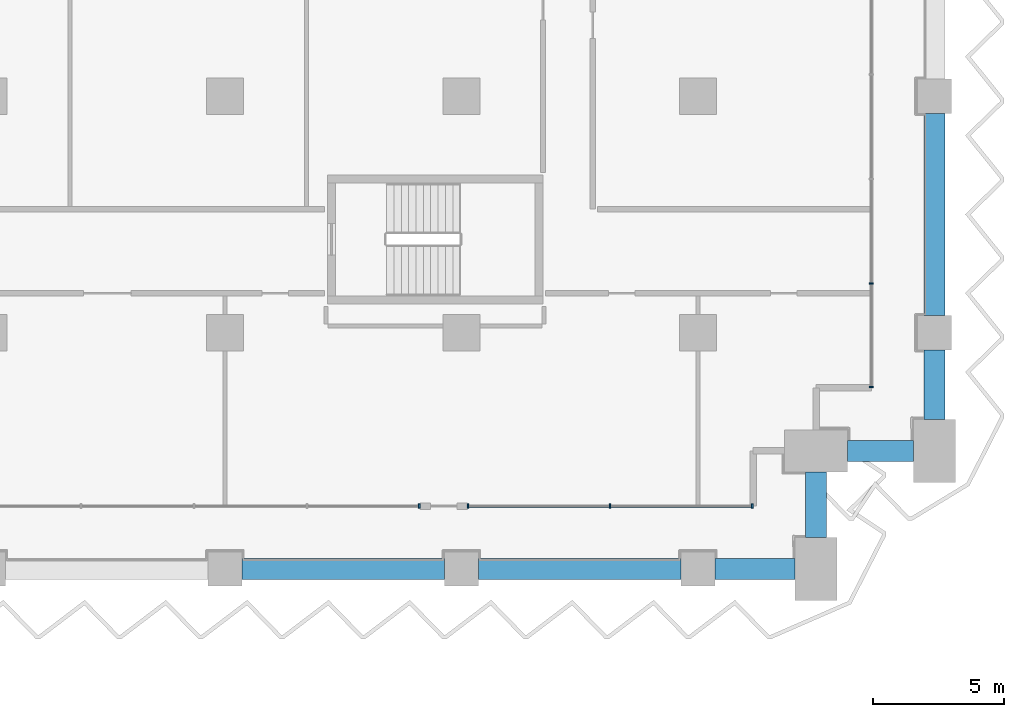
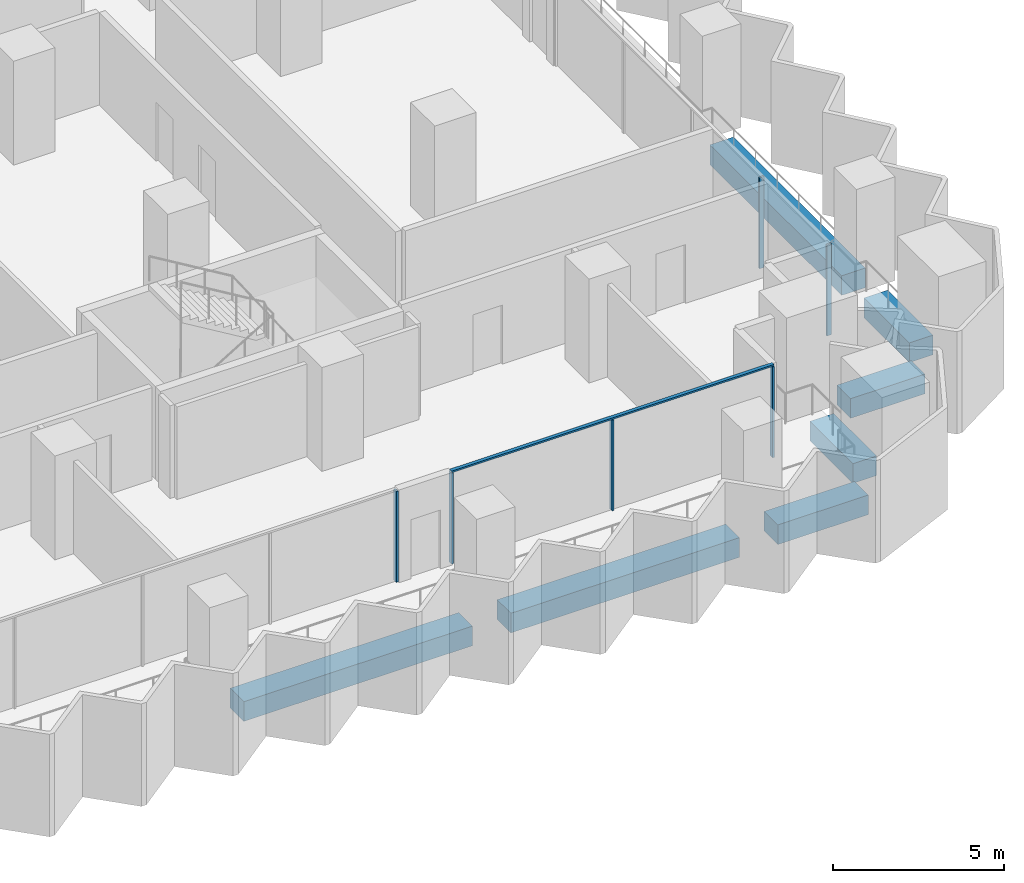
# One storey, part 6 of 28: 7 beams, 7 members, 3 elements without a shape of their own.
"""IFC4 building model written with IfcOpenShell, lengths in metres."""

from ifc_helpers import new_model, si_unit, direction, frame, origin, origin_2d, place, context, subcontext, project, spatial, rectangle, extrude, material, material_profile, profile_set, type_object, element, aggregate, save


model = new_model("IFC4")

# Units and contexts
model_context = context("Model", 3, precision=1e-05, world=origin(), true_north=direction((0.0, 1.0)))
body_context = subcontext(model_context, "Body", "Model", "MODEL_VIEW")
ifc_project = project(units=[si_unit("LENGTHUNIT", "METRE"), si_unit("AREAUNIT", "SQUARE_METRE"), si_unit("VOLUMEUNIT", "CUBIC_METRE"), si_unit("PLANEANGLEUNIT", "RADIAN"), si_unit("MASSUNIT", "GRAM", prefix="KILO")], contexts=[model_context])

# Site, building, storey
site_placement = place(None, origin())
site = spatial("IfcSite", under=ifc_project, at=site_placement, CompositionType="ELEMENT")
building_placement = place(site_placement, origin())
building = spatial("IfcBuilding", under=site, at=building_placement, Name="Hunhe Ridgeline Campus", CompositionType="ELEMENT")
storey_placement = place(building_placement, frame((0.0, 0.0, 39.5)))
storey = spatial("IfcBuildingStorey", under=building, at=storey_placement, Name="L08", CompositionType="ELEMENT", Elevation=39.5)

# Curtain wall, member
ifc_material_1 = material(Name="Aluminium 6063", Category="aluminium")
curtain_wall_type = type_object("IfcCurtainWallType", Name="Curtain wall CW-1", PredefinedType="NOTDEFINED", material=ifc_material_1)
curtain_wall_1_placement = place(storey_placement, origin())
curtain_wall_1 = element("IfcCurtainWall", 1, at=curtain_wall_1_placement, inside=storey, type_object=curtain_wall_type, Name="Curtain wall 13", PredefinedType="NOTDEFINED")
ifc_material_profile_1 = material_profile(ifc_material_1, rectangle(XDim=0.159912109375, YDim=0.06005859375, at=origin_2d()))
ifc_profile_set_1 = profile_set([ifc_material_profile_1], Name="Aluminium 6063")
member_type_1 = type_object("IfcMemberType", Name="CW-1 aluminium mullion", PredefinedType="MULLION", material=ifc_profile_set_1)
member_1_placement = place(storey_placement, frame((79.39404296875, 56.40087890625, 0.0), z_axis=(0.0, 0.0, 1.0), x_axis=(-3.602063e-06, 0.999999999994, 0.0)))
member_1 = element("IfcMember", 2, at=member_1_placement, type_object=member_type_1, Name="CW-1 mullion 9", PredefinedType="MULLION", context=body_context, shape_type="SweptSolid", body=[
    extrude(rectangle(XDim=0.159912109375, YDim=0.06005859375, at=origin_2d()), origin(), (0.0, 0.0, 1.0), 3.239990234375),
])
aggregate(curtain_wall_1, [member_1])

# Curtain wall, members
curtain_wall_2_placement = place(storey_placement, origin())
curtain_wall_2 = element("IfcCurtainWall", 3, at=curtain_wall_2_placement, inside=storey, type_object=curtain_wall_type, Name="Curtain wall 14", PredefinedType="NOTDEFINED")
member_2_placement = place(storey_placement, frame((81.254150390625, 56.40087890625, 0.0), z_axis=(0.0, 0.0, 1.0), x_axis=(-3.58625e-06, 0.999999999994, 0.0)))
member_2 = element("IfcMember", 4, at=member_2_placement, type_object=member_type_1, Name="CW-1 mullion 1", PredefinedType="MULLION", context=body_context, shape_type="SweptSolid", body=[
    extrude(rectangle(XDim=0.159912109375, YDim=0.06005859375, at=origin_2d()), origin(), (0.0, 0.0, 1.0), 3.239990234375),
])
member_3_placement = place(storey_placement, frame((86.66162109375, 56.40087890625, 0.0), z_axis=(0.0, 0.0, 1.0), x_axis=(-3.58625e-06, 0.999999999994, 0.0)))
member_3 = element("IfcMember", 5, at=member_3_placement, type_object=member_type_1, Name="CW-1 mullion 2", PredefinedType="MULLION", context=body_context, shape_type="SweptSolid", body=[
    extrude(rectangle(XDim=0.159912109375, YDim=0.06005859375, at=origin_2d()), origin(), (0.0, 0.0, 1.0), 3.239990234375),
])
member_4_placement = place(storey_placement, frame((92.069091796875, 56.40087890625, 0.0), z_axis=(0.0, 0.0, 1.0), x_axis=(-3.58625e-06, 0.999999999994, 0.0)))
member_4 = element("IfcMember", 6, at=member_4_placement, type_object=member_type_1, Name="CW-1 mullion 3", PredefinedType="MULLION", context=body_context, shape_type="SweptSolid", body=[
    extrude(rectangle(XDim=0.159912109375, YDim=0.06005859375, at=origin_2d()), origin(), (0.0, 0.0, 1.0), 3.239990234375),
])

curtain_wall_3_placement = place(storey_placement, origin())
curtain_wall_3 = element("IfcCurtainWall", 7, at=curtain_wall_3_placement, inside=storey, type_object=curtain_wall_type, Name="Curtain wall 15", PredefinedType="NOTDEFINED")
member_5_placement = place(storey_placement, frame((96.59912109375, 60.930908203125, 0.0), z_axis=(0.0, 0.0, 1.0), x_axis=(-1.0, 0.0, 0.0)))
member_5 = element("IfcMember", 8, at=member_5_placement, type_object=member_type_1, Name="CW-1 mullion 1", PredefinedType="MULLION", context=body_context, shape_type="SweptSolid", body=[
    extrude(rectangle(XDim=0.159912109375, YDim=0.06005859375, at=origin_2d()), origin(), (0.0, 0.0, 1.0), 3.239990234375),
])
member_6_placement = place(storey_placement, frame((96.59912109375, 64.8759765625, 0.0), z_axis=(0.0, 0.0, 1.0), x_axis=(-1.0, 0.0, 0.0)))
member_6 = element("IfcMember", 9, at=member_6_placement, type_object=member_type_1, Name="CW-1 mullion 2", PredefinedType="MULLION", context=body_context, shape_type="SweptSolid", body=[
    extrude(rectangle(XDim=0.159912109375, YDim=0.06005859375, at=origin_2d()), origin(), (0.0, 0.0, 1.0), 3.239990234375),
])
aggregate(curtain_wall_3, [member_5, member_6])

# Member
ifc_material_profile_2 = material_profile(ifc_material_1, rectangle(XDim=0.1201171875, YDim=0.06005859375, at=origin_2d()))
ifc_profile_set_2 = profile_set([ifc_material_profile_2], Name="Aluminium 6063")
member_type_2 = type_object("IfcMemberType", Name="CW-1 aluminium transom", PredefinedType="USERDEFINED", material=ifc_profile_set_2)
member_7_placement = place(storey_placement, frame((81.22412109375, 56.40087890625, 3.27001953125), z_axis=(1.0, 0.0, 0.0), x_axis=(0.0, 1.0, 0.0)))
member_7 = element("IfcMember", 10, at=member_7_placement, type_object=member_type_2, Name="CW-1 transom 1", ObjectType="TRANSOM", PredefinedType="USERDEFINED", context=body_context, shape_type="SweptSolid", body=[
    extrude(rectangle(XDim=0.1201171875, YDim=0.06005859375, at=origin_2d()), origin(), (0.0, 0.0, 1.0), 10.875),
])

aggregate(curtain_wall_2, [member_7, member_2, member_3, member_4])

# Beams
ifc_material_2 = material(Name="Concrete C60", Category="concrete")
ifc_material_profile_3 = material_profile(ifc_material_2, rectangle(XDim=0.800048828125, YDim=0.699951171875, at=origin_2d()))
ifc_profile_set_3 = profile_set([ifc_material_profile_3], Name="Concrete C60")
beam_type = type_object("IfcBeamType", Name="RC spandrel beam 800x700 Concrete C60", PredefinedType="SPANDREL", material=ifc_profile_set_3)
for number, where, z_axis, x_axis, name in (
    (11, (72.64990234375, 54.0, -0.60009765625), (1.0, 0.0, 0.0), (0.0, 1.0, 0.0), "Spandrel beam B1-15 L08"),
    (12, (81.64990234375, 54.0, -0.60009765625), (1.0, 0.0, 0.0), (0.0, 1.0, 0.0), "Spandrel beam B1-16 L08"),
):
    element("IfcBeam", number, at=place(storey_placement, frame(where, z_axis=z_axis, x_axis=x_axis)), inside=storey, type_object=beam_type, Name=name, PredefinedType="SPANDREL", context=body_context, shape_type="SweptSolid", body=[
        extrude(rectangle(XDim=0.800048828125, YDim=0.699951171875, at=origin_2d()), origin(), (0.0, 0.0, 1.0), 7.7001953125),
    ])
beam_1_placement = place(storey_placement, frame((90.64990234375, 54.0, -0.60009765625), z_axis=(1.0, 0.0, 0.0), x_axis=(0.0, 1.0, 0.0)))
element("IfcBeam", 13, at=beam_1_placement, inside=storey, type_object=beam_type, Name="Spandrel beam B1-17 L08", PredefinedType="SPANDREL", context=body_context, shape_type="SweptSolid", body=[
    extrude(rectangle(XDim=0.800048828125, YDim=0.699951171875, at=origin_2d()), origin(), (0.0, 0.0, 1.0), 3.050048828125),
])
for number, where, z_axis, x_axis, name in (
    (14, (94.5, 55.199951171875, -0.60009765625), (0.0, 1.0, 0.0), (-1.0, 0.0, 0.0), "Spandrel beam B1-18 L08"),
    (15, (95.699951171875, 58.5, -0.60009765625), (1.0, 0.0, 0.0), (0.0, 1.0, 0.0), "Spandrel beam B1-19 L08"),
):
    element("IfcBeam", number, at=place(storey_placement, frame(where, z_axis=z_axis, x_axis=x_axis)), inside=storey, type_object=beam_type, Name=name, PredefinedType="SPANDREL", context=body_context, shape_type="SweptSolid", body=[
        extrude(rectangle(XDim=0.800048828125, YDim=0.699951171875, at=origin_2d()), origin(), (0.0, 0.0, 1.0), 2.5),
    ])
beam_2_placement = place(storey_placement, frame((99.0, 59.699951171875, -0.60009765625), z_axis=(0.0, 1.0, 0.0), x_axis=(-1.0, 0.0, 0.0)))
element("IfcBeam", 16, at=beam_2_placement, inside=storey, type_object=beam_type, Name="Spandrel beam B1-20 L08", PredefinedType="SPANDREL", context=body_context, shape_type="SweptSolid", body=[
    extrude(rectangle(XDim=0.800048828125, YDim=0.699951171875, at=origin_2d()), origin(), (0.0, 0.0, 1.0), 2.650146484375),
])
beam_3_placement = place(storey_placement, frame((99.0, 63.64990234375, -0.60009765625), z_axis=(0.0, 1.0, 0.0), x_axis=(-1.0, 0.0, 0.0)))
element("IfcBeam", 17, at=beam_3_placement, inside=storey, type_object=beam_type, Name="Spandrel beam B1-21 L08", PredefinedType="SPANDREL", context=body_context, shape_type="SweptSolid", body=[
    extrude(rectangle(XDim=0.800048828125, YDim=0.699951171875, at=origin_2d()), origin(), (0.0, 0.0, 1.0), 7.7001953125),
])

save(model, "model.ifc")
